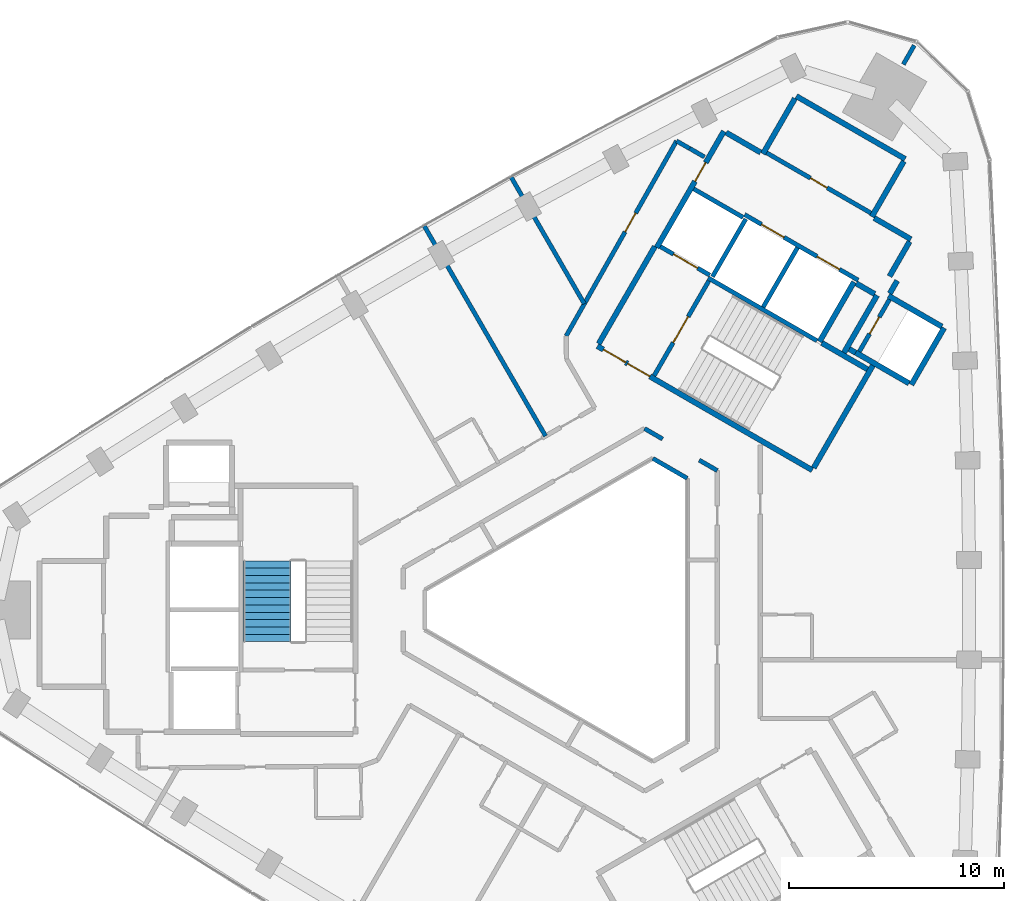
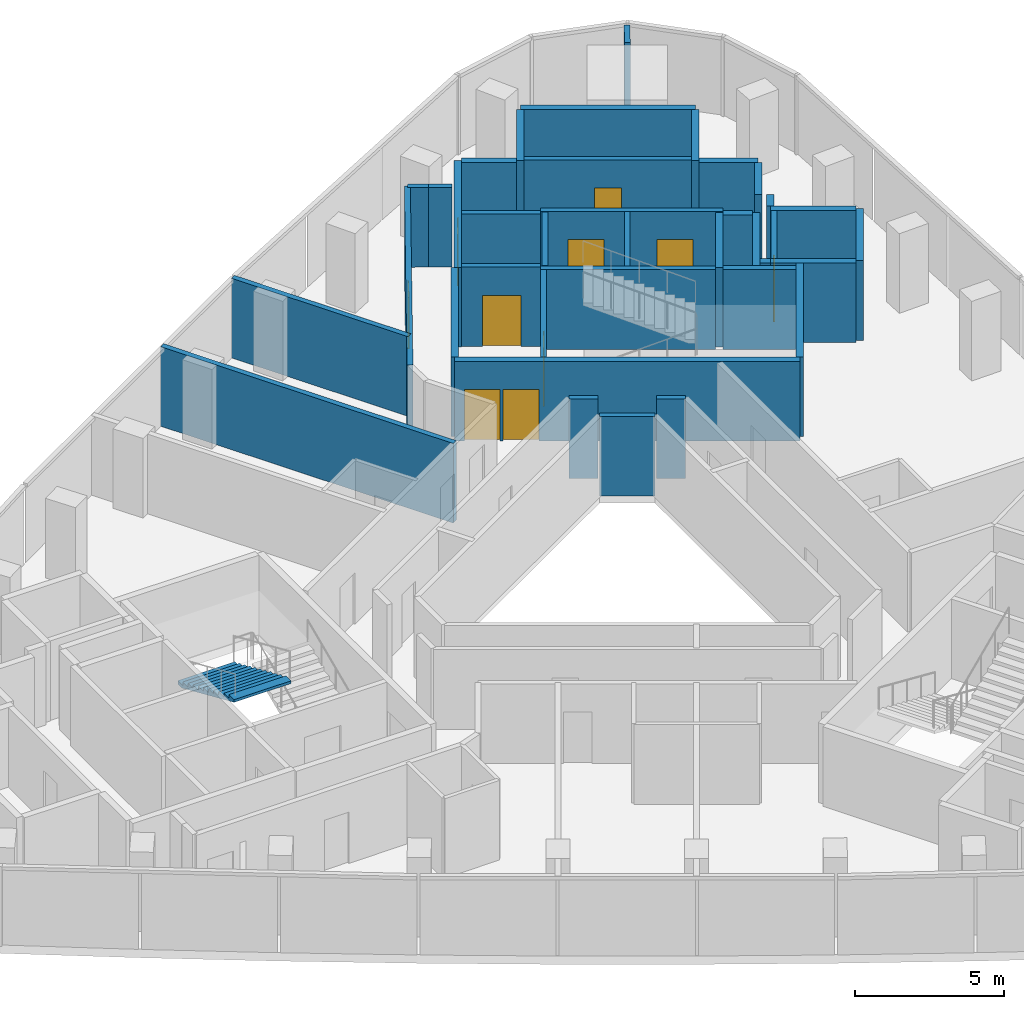
# One storey, part 10 of 12: 37 walls, 10 doors, 1 stair flight, 10 openings, 1 element without a shape of its own.
"""IFC4 building model written with IfcOpenShell, lengths in metres."""

from ifc_helpers import new_model, si_unit, direction, frame, frame_2d, origin, place, context, subcontext, project, spatial, polyline, rectangle, outline, extrude, material, layer, layer_set, type_object, element, fill, aggregate, save


model = new_model("IFC4")

# Units and contexts
model_context = context("Model", 3, precision=1e-05, world=origin(), true_north=direction((0.0, 1.0)))
body_context = subcontext(model_context, "Body", "Model", "MODEL_VIEW")
ifc_project = project(units=[si_unit("LENGTHUNIT", "METRE"), si_unit("AREAUNIT", "SQUARE_METRE"), si_unit("VOLUMEUNIT", "CUBIC_METRE"), si_unit("PLANEANGLEUNIT", "RADIAN"), si_unit("MASSUNIT", "GRAM", prefix="KILO")], contexts=[model_context])

# Site, building, storey
site_placement = place(None, origin())
site = spatial("IfcSite", under=ifc_project, at=site_placement, CompositionType="ELEMENT")
building_placement = place(site_placement, origin())
building = spatial("IfcBuilding", under=site, at=building_placement, Name="Tamra Quay Hotel Tower", CompositionType="ELEMENT")
storey_placement = place(building_placement, frame((0.0, 0.0, 179.199951171875)))
storey = spatial("IfcBuildingStorey", under=building, at=storey_placement, Name="L44", CompositionType="ELEMENT", Elevation=179.199951171875)

# Wall, openings, doors
ifc_material_1 = material(Name="Concrete M70", Category="concrete")
ifc_layer_1 = layer(ifc_material_1, 0.199951171875)
ifc_layer_set_1 = layer_set([ifc_layer_1], Name="Concrete M70 core wall 200")
wall_type_1 = type_object("IfcWallType", Name="Concrete M70 core wall 200", PredefinedType="SHEAR", material=ifc_layer_set_1)
wall_1_placement = place(storey_placement, frame((12.552490234375, 15.341552734375, 0.0), z_axis=(0.0, 0.0, 1.0), x_axis=(-0.866030299012, 0.499991521122, 0.0)))
wall_1 = element("IfcWall", 1, at=wall_1_placement, inside=storey, type_object=wall_type_1, Name="CW2", PredefinedType="SHEAR", context=body_context, shape_type="SweptSolid", body=[
    extrude(rectangle(XDim=6.10009765625, YDim=0.199951171875, at=frame_2d((3.050048828125, 0.0))), origin(), (0.0, 0.0, 1.0), 3.25),
])
opening_1_placement = place(wall_1_placement, frame((1.0, 0.0, 0.0)))
opening_1 = element("IfcOpeningElement", 2, at=opening_1_placement, cuts=wall_1, Name="Opening LD", PredefinedType="OPENING", context=body_context, shape_type="SweptSolid", body=[
    extrude(rectangle(XDim=1.199951171875, YDim=2.10009765625, at=frame_2d((0.60009765625, 1.050048828125))), frame((0.0, 0.10986328125, 0.0), z_axis=(0.0, -1.0, 0.0), x_axis=(1.0, 0.0, 0.0)), (0.0, 0.0, 1.0), 0.219970703125),
])
opening_2_placement = place(wall_1_placement, frame((3.982177734375, 0.0, 0.0)))
opening_2 = element("IfcOpeningElement", 3, at=opening_2_placement, cuts=wall_1, Name="Opening LD", PredefinedType="OPENING", context=body_context, shape_type="SweptSolid", body=[
    extrude(rectangle(XDim=1.199951171875, YDim=2.10009765625, at=frame_2d((0.60009765625, 1.050048828125))), frame((0.0, 0.10986328125, 0.0), z_axis=(0.0, -1.0, 0.0), x_axis=(1.0, 0.0, 0.0)), (0.0, 0.0, 1.0), 0.219970703125),
])
ifc_material_2 = material(Name="Landing door LD 1200 double door sliding")
door_type_1 = type_object("IfcDoorType", Name="Landing door LD 1200 double door sliding", OperationType="DOUBLE_DOOR_SLIDING", PredefinedType="DOOR", material=ifc_material_2)
door_1_placement = place(opening_1_placement, origin())
door_1 = element("IfcDoor", 4, at=door_1_placement, inside=storey, type_object=door_type_1, Name="LD", OperationType="DOUBLE_DOOR_SLIDING", OverallHeight=2.10009765625, OverallWidth=1.199951171875, PredefinedType="DOOR", context=body_context, shape_type="SweptSolid", body=[
    extrude(rectangle(XDim=1.199951171875, YDim=2.10009765625, at=frame_2d((0.60009765625, 1.050048828125))), frame((0.0, 0.02490234375, 0.0), z_axis=(0.0, -1.0, 0.0), x_axis=(1.0, 0.0, 0.0)), (0.0, 0.0, 1.0), 0.050048828125),
])
fill(opening_1, door_1)
door_2_placement = place(opening_2_placement, origin())
door_2 = element("IfcDoor", 5, at=door_2_placement, inside=storey, type_object=door_type_1, Name="LD", OperationType="DOUBLE_DOOR_SLIDING", OverallHeight=2.10009765625, OverallWidth=1.199951171875, PredefinedType="DOOR", context=body_context, shape_type="SweptSolid", body=[
    extrude(rectangle(XDim=1.199951171875, YDim=2.10009765625, at=frame_2d((0.60009765625, 1.050048828125))), frame((0.0, 0.02490234375, 0.0), z_axis=(0.0, -1.0, 0.0), x_axis=(1.0, 0.0, 0.0)), (0.0, 0.0, 1.0), 0.050048828125),
])
fill(opening_2, door_2)

# Wall
wall_2_placement = place(storey_placement, frame((10.636474609375, 12.521484375, 0.0), z_axis=(0.0, 0.0, 1.0), x_axis=(-0.866013252188, 0.500021046592, 0.0)))
element("IfcWall", 6, at=wall_2_placement, inside=storey, type_object=wall_type_1, Name="CW2", PredefinedType="SHEAR", context=body_context, shape_type="SweptSolid", body=[
    extrude(rectangle(XDim=5.850830078125, YDim=0.199951171875, at=frame_2d((2.92529296875, 0.0))), origin(), (0.0, 0.0, 1.0), 3.25),
])

# Wall, opening, door
wall_3_placement = place(storey_placement, frame((8.294189453125, 21.26416015625, 0.0), z_axis=(0.0, 0.0, 1.0), x_axis=(0.866025812541, -0.499999292012, 0.0)))
wall_3 = element("IfcWall", 7, at=wall_3_placement, inside=storey, type_object=wall_type_1, Name="CW2", PredefinedType="SHEAR", context=body_context, shape_type="SweptSolid", body=[
    extrude(rectangle(XDim=5.59814453125, YDim=0.199951171875, at=frame_2d((2.799072265625, 0.0))), origin(), (0.0, 0.0, 1.0), 3.25),
])
opening_3_placement = place(wall_3_placement, frame((2.34912109375, 0.0, 0.0)))
opening_3 = element("IfcOpeningElement", 8, at=opening_3_placement, cuts=wall_3, Name="Opening D2", PredefinedType="OPENING", context=body_context, shape_type="SweptSolid", body=[
    extrude(rectangle(XDim=0.89990234375, YDim=2.10009765625, at=frame_2d((0.449951171875, 1.050048828125))), frame((0.0, 0.10986328125, 0.0), z_axis=(0.0, -1.0, 0.0), x_axis=(1.0, 0.0, 0.0)), (0.0, 0.0, 1.0), 0.219970703125),
])
ifc_material_3 = material(Name="Core door D2 900x2100 RH")
door_type_2 = type_object("IfcDoorType", Name="Core door D2 900x2100 RH", OperationType="NOTDEFINED", PredefinedType="DOOR", material=ifc_material_3)
door_3_placement = place(opening_3_placement, origin())
door_3 = element("IfcDoor", 9, at=door_3_placement, inside=storey, type_object=door_type_2, Name="D2", OperationType="SINGLE_SWING_RIGHT", OverallHeight=2.10009765625, OverallWidth=0.89990234375, PredefinedType="DOOR", context=body_context, shape_type="SweptSolid", body=[
    extrude(rectangle(XDim=0.89990234375, YDim=2.10009765625, at=frame_2d((0.449951171875, 1.050048828125))), frame((0.0, 0.02490234375, 0.0), z_axis=(0.0, -1.0, 0.0), x_axis=(1.0, 0.0, 0.0)), (0.0, 0.0, 1.0), 0.050048828125),
])
fill(opening_3, door_3)

wall_4_placement = place(storey_placement, frame((3.056640625, 10.89453125, 0.0), z_axis=(0.0, 0.0, 1.0), x_axis=(0.500027839223, 0.866009330205, 0.0)))
wall_4 = element("IfcWall", 10, at=wall_4_placement, inside=storey, type_object=wall_type_1, Name="CW2", PredefinedType="SHEAR", context=body_context, shape_type="SweptSolid", body=[
    extrude(rectangle(XDim=5.097900390625, YDim=0.199951171875, at=frame_2d((2.548828125, 0.0))), origin(), (0.0, 0.0, 1.0), 3.25),
])
opening_4_placement = place(wall_4_placement, frame((1.77392578125, 0.0, 0.0)))
opening_4 = element("IfcOpeningElement", 11, at=opening_4_placement, cuts=wall_4, Name="Opening FD2", PredefinedType="OPENING", context=body_context, shape_type="SweptSolid", body=[
    extrude(rectangle(XDim=1.39990234375, YDim=2.10009765625, at=frame_2d((0.699951171875, 1.050048828125))), frame((0.0, 0.10986328125, 0.0), z_axis=(0.0, -1.0, 0.0), x_axis=(1.0, 0.0, 0.0)), (0.0, 0.0, 1.0), 0.219970703125),
])
ifc_material_4 = material(Name="Core door FD2 1400x2100 LH")
door_type_3 = type_object("IfcDoorType", Name="Core door FD2 1400x2100 LH", OperationType="NOTDEFINED", PredefinedType="DOOR", material=ifc_material_4)
door_4_placement = place(opening_4_placement, origin())
door_4 = element("IfcDoor", 12, at=door_4_placement, inside=storey, type_object=door_type_3, Name="FD2", OperationType="SINGLE_SWING_LEFT", OverallHeight=2.10009765625, OverallWidth=1.39990234375, PredefinedType="DOOR", context=body_context, shape_type="SweptSolid", body=[
    extrude(rectangle(XDim=1.39990234375, YDim=2.10009765625, at=frame_2d((0.699951171875, 1.050048828125))), frame((0.0, 0.02490234375, 0.0), z_axis=(0.0, -1.0, 0.0), x_axis=(1.0, 0.0, 0.0)), (0.0, 0.0, 1.0), 0.050048828125),
])
fill(opening_4, door_4)

# Wall
wall_5_placement = place(storey_placement, frame((8.131591796875, 14.08447265625, 0.0), z_axis=(0.0, 0.0, 1.0), x_axis=(0.500030834389, 0.86600760081, 0.0)))
element("IfcWall", 13, at=wall_5_placement, inside=storey, type_object=wall_type_1, Name="CW2", PredefinedType="SHEAR", context=body_context, shape_type="SweptSolid", body=[
    extrude(rectangle(XDim=3.197998046875, YDim=0.199951171875, at=frame_2d((1.59912109375, 0.0))), origin(), (0.0, 0.0, 1.0), 3.25),
])

# Wall, opening, door
wall_6_placement = place(storey_placement, frame((14.0078125, 14.442138671875, 0.0), z_axis=(0.0, 0.0, 1.0), x_axis=(-0.499986818241, -0.866033014143, 0.0)))
wall_6 = element("IfcWall", 14, at=wall_6_placement, inside=storey, type_object=wall_type_1, Name="CW2", PredefinedType="SHEAR", context=body_context, shape_type="SweptSolid", body=[
    extrude(rectangle(XDim=2.7978515625, YDim=0.199951171875, at=frame_2d((1.39892578125, 0.0))), origin(), (0.0, 0.0, 1.0), 3.25),
])
opening_5_placement = place(wall_6_placement, frame((0.948974609375, 0.0, 0.0)))
opening_5 = element("IfcOpeningElement", 15, at=opening_5_placement, cuts=wall_6, Name="Opening D1", PredefinedType="OPENING", context=body_context, shape_type="SweptSolid", body=[
    extrude(rectangle(XDim=0.89990234375, YDim=2.10009765625, at=frame_2d((0.449951171875, 1.050048828125))), frame((0.0, 0.10986328125, 0.0), z_axis=(0.0, -1.0, 0.0), x_axis=(1.0, 0.0, 0.0)), (0.0, 0.0, 1.0), 0.219970703125),
])
ifc_material_5 = material(Name="Core door D1 900x2100 LH")
door_type_4 = type_object("IfcDoorType", Name="Core door D1 900x2100 LH", OperationType="NOTDEFINED", PredefinedType="DOOR", material=ifc_material_5)
door_5_placement = place(opening_5_placement, origin())
door_5 = element("IfcDoor", 16, at=door_5_placement, inside=storey, type_object=door_type_4, Name="D1", OperationType="SINGLE_SWING_LEFT", OverallHeight=2.10009765625, OverallWidth=0.89990234375, PredefinedType="DOOR", context=body_context, shape_type="SweptSolid", body=[
    extrude(rectangle(XDim=0.89990234375, YDim=2.10009765625, at=frame_2d((0.449951171875, 1.050048828125))), frame((0.0, 0.02490234375, 0.0), z_axis=(0.0, -1.0, 0.0), x_axis=(1.0, 0.0, 0.0)), (0.0, 0.0, 1.0), 0.050048828125),
])
fill(opening_5, door_5)

# Wall
wall_7_placement = place(storey_placement, frame((7.324462890625, 18.1865234375, 0.0), z_axis=(0.0, 0.0, 1.0), x_axis=(-0.499967891604, -0.866043940782, 0.0)))
element("IfcWall", 17, at=wall_7_placement, inside=storey, type_object=wall_type_1, Name="CW2", PredefinedType="SHEAR", context=body_context, shape_type="SweptSolid", body=[
    extrude(rectangle(XDim=3.099853515625, YDim=0.199951171875, at=frame_2d((1.5498046875, 0.0))), origin(), (0.0, 0.0, 1.0), 3.25),
])

# Wall, opening, door
wall_8_placement = place(storey_placement, frame((5.646240234375, 15.575927734375, 0.0), z_axis=(0.0, 0.0, 1.0), x_axis=(-0.866018407898, 0.500012117035, 0.0)))
wall_8 = element("IfcWall", 18, at=wall_8_placement, inside=storey, type_object=wall_type_1, Name="CW2", PredefinedType="SHEAR", context=body_context, shape_type="SweptSolid", body=[
    extrude(rectangle(XDim=2.65087890625, YDim=0.199951171875, at=frame_2d((1.325439453125, 0.0))), origin(), (0.0, 0.0, 1.0), 3.25),
])
opening_6_placement = place(wall_8_placement, frame((0.65185546875, 0.0, 0.0)))
opening_6 = element("IfcOpeningElement", 19, at=opening_6_placement, cuts=wall_8, Name="Opening LD", PredefinedType="OPENING", context=body_context, shape_type="SweptSolid", body=[
    extrude(rectangle(XDim=1.300048828125, YDim=2.10009765625, at=frame_2d((0.64990234375, 1.050048828125))), frame((0.0, 0.10986328125, 0.0), z_axis=(0.0, -1.0, 0.0), x_axis=(1.0, 0.0, 0.0)), (0.0, 0.0, 1.0), 0.219970703125),
])
ifc_material_6 = material(Name="Landing door LD 1300 sliding to left")
door_type_5 = type_object("IfcDoorType", Name="Landing door LD 1300 sliding to left", OperationType="NOTDEFINED", PredefinedType="DOOR", material=ifc_material_6)
door_6_placement = place(opening_6_placement, origin())
door_6 = element("IfcDoor", 20, at=door_6_placement, inside=storey, type_object=door_type_5, Name="LD", OperationType="SLIDING_TO_LEFT", OverallHeight=2.10009765625, OverallWidth=1.300048828125, PredefinedType="DOOR", context=body_context, shape_type="SweptSolid", body=[
    extrude(rectangle(XDim=1.300048828125, YDim=2.10009765625, at=frame_2d((0.64990234375, 1.050048828125))), frame((0.0, 0.02490234375, 0.0), z_axis=(0.0, -1.0, 0.0), x_axis=(1.0, 0.0, 0.0)), (0.0, 0.0, 1.0), 0.050048828125),
])
fill(opening_6, door_6)

# Wall
wall_9_placement = place(storey_placement, frame((7.1962890625, 18.260498046875, 0.0), z_axis=(0.0, 0.0, 1.0), x_axis=(-0.866018407898, 0.500012117035, 0.0)))
element("IfcWall", 21, at=wall_9_placement, inside=storey, type_object=wall_type_1, Name="CW2", PredefinedType="SHEAR", context=body_context, shape_type="SweptSolid", body=[
    extrude(rectangle(XDim=2.65087890625, YDim=0.199951171875, at=frame_2d((1.325439453125, 0.0))), origin(), (0.0, 0.0, 1.0), 3.25),
])

# Wall, openings, doors
ifc_layer_2 = layer(ifc_material_1, 0.25)
ifc_layer_set_2 = layer_set([ifc_layer_2], Name="Concrete M70 core wall 250")
wall_type_2 = type_object("IfcWallType", Name="Concrete M70 core wall 250", PredefinedType="SHEAR", material=ifc_layer_set_2)
wall_10_placement = place(storey_placement, frame((10.419921875, 6.497802734375, 0.0), z_axis=(0.0, 0.0, 1.0), x_axis=(-0.866021906294, 0.500006057782, 0.0)))
wall_10 = element("IfcWall", 22, at=wall_10_placement, inside=storey, type_object=wall_type_2, Name="CW1", PredefinedType="SHEAR", context=body_context, shape_type="SweptSolid", body=[
    extrude(rectangle(XDim=11.550048828125, YDim=0.25, at=frame_2d((5.77490234375, 0.0))), origin(), (0.0, 0.0, 1.0), 3.25),
])
opening_7_placement = place(wall_10_placement, frame((10.02490234375, 0.0, 0.0)))
opening_7 = element("IfcOpeningElement", 23, at=opening_7_placement, cuts=wall_10, Name="Opening FD1", PredefinedType="OPENING", context=body_context, shape_type="SweptSolid", body=[
    extrude(rectangle(XDim=1.199951171875, YDim=2.10009765625, at=frame_2d((0.60009765625, 1.050048828125))), frame((0.0, 0.135009765625, 0.0), z_axis=(0.0, -1.0, 0.0), x_axis=(1.0, 0.0, 0.0)), (0.0, 0.0, 1.0), 0.27001953125),
])
opening_8_placement = place(wall_10_placement, frame((8.724853515625, 0.0, 0.0)))
opening_8 = element("IfcOpeningElement", 24, at=opening_8_placement, cuts=wall_10, Name="Opening FD1", PredefinedType="OPENING", context=body_context, shape_type="SweptSolid", body=[
    extrude(rectangle(XDim=1.199951171875, YDim=2.10009765625, at=frame_2d((0.60009765625, 1.050048828125))), frame((0.0, 0.135009765625, 0.0), z_axis=(0.0, -1.0, 0.0), x_axis=(1.0, 0.0, 0.0)), (0.0, 0.0, 1.0), 0.27001953125),
])
ifc_material_7 = material(Name="Core door FD1 1200x2100 LH")
door_type_6 = type_object("IfcDoorType", Name="Core door FD1 1200x2100 LH", OperationType="NOTDEFINED", PredefinedType="DOOR", material=ifc_material_7)
door_7_placement = place(opening_7_placement, origin())
door_7 = element("IfcDoor", 25, at=door_7_placement, inside=storey, type_object=door_type_6, Name="FD1", OperationType="SINGLE_SWING_LEFT", OverallHeight=2.10009765625, OverallWidth=1.199951171875, PredefinedType="DOOR", context=body_context, shape_type="SweptSolid", body=[
    extrude(rectangle(XDim=1.199951171875, YDim=2.10009765625, at=frame_2d((0.60009765625, 1.050048828125))), frame((0.0, 0.02490234375, 0.0), z_axis=(0.0, -1.0, 0.0), x_axis=(1.0, 0.0, 0.0)), (0.0, 0.0, 1.0), 0.050048828125),
])
fill(opening_7, door_7)
ifc_material_8 = material(Name="Core door FD1 1200x2100 RH")
door_type_7 = type_object("IfcDoorType", Name="Core door FD1 1200x2100 RH", OperationType="NOTDEFINED", PredefinedType="DOOR", material=ifc_material_8)
door_8_placement = place(opening_8_placement, origin())
door_8 = element("IfcDoor", 26, at=door_8_placement, inside=storey, type_object=door_type_7, Name="FD1", OperationType="SINGLE_SWING_RIGHT", OverallHeight=2.10009765625, OverallWidth=1.199951171875, PredefinedType="DOOR", context=body_context, shape_type="SweptSolid", body=[
    extrude(rectangle(XDim=1.199951171875, YDim=2.10009765625, at=frame_2d((0.60009765625, 1.050048828125))), frame((0.0, 0.02490234375, 0.0), z_axis=(0.0, -1.0, 0.0), x_axis=(1.0, 0.0, 0.0)), (0.0, 0.0, 1.0), 0.050048828125),
])
fill(opening_8, door_8)

# Wall, opening, door
wall_11_placement = place(storey_placement, frame((3.178955078125, 16.856201171875, 0.0), z_axis=(0.0, 0.0, 1.0), x_axis=(0.500004234368, 0.866022959057, 0.0)))
wall_11 = element("IfcWall", 27, at=wall_11_placement, inside=storey, type_object=wall_type_2, Name="CW1", PredefinedType="SHEAR", context=body_context, shape_type="SweptSolid", body=[
    extrude(rectangle(XDim=6.25, YDim=0.25, at=frame_2d((3.125, 0.0))), origin(), (0.0, 0.0, 1.0), 3.25),
])
opening_9_placement = place(wall_11_placement, frame((3.562744140625, 0.0, 0.0)))
opening_9 = element("IfcOpeningElement", 28, at=opening_9_placement, cuts=wall_11, Name="Opening FD3", PredefinedType="OPENING", context=body_context, shape_type="SweptSolid", body=[
    extrude(rectangle(XDim=1.0, YDim=2.10009765625, at=frame_2d((0.5, 1.050048828125))), frame((0.0, 0.135009765625, 0.0), z_axis=(0.0, -1.0, 0.0), x_axis=(1.0, 0.0, 0.0)), (0.0, 0.0, 1.0), 0.27001953125),
])
ifc_material_9 = material(Name="Core door FD3 1000x2100 LH")
door_type_8 = type_object("IfcDoorType", Name="Core door FD3 1000x2100 LH", OperationType="NOTDEFINED", PredefinedType="DOOR", material=ifc_material_9)
door_9_placement = place(opening_9_placement, origin())
door_9 = element("IfcDoor", 29, at=door_9_placement, inside=storey, type_object=door_type_8, Name="FD3", OperationType="SINGLE_SWING_LEFT", OverallHeight=2.10009765625, OverallWidth=1.0, PredefinedType="DOOR", context=body_context, shape_type="SweptSolid", body=[
    extrude(rectangle(XDim=1.0, YDim=2.10009765625, at=frame_2d((0.5, 1.050048828125))), frame((0.0, 0.02490234375, 0.0), z_axis=(0.0, -1.0, 0.0), x_axis=(1.0, 0.0, 0.0)), (0.0, 0.0, 1.0), 0.050048828125),
])
fill(opening_9, door_9)

# Walls
wall_12_placement = place(storey_placement, frame((9.672607421875, 23.9033203125, 0.0), z_axis=(0.0, 0.0, 1.0), x_axis=(0.86603616409, -0.499981362141, 0.0)))
element("IfcWall", 30, at=wall_12_placement, inside=storey, type_object=wall_type_2, Name="CW1", PredefinedType="SHEAR", context=body_context, shape_type="SweptSolid", body=[
    extrude(rectangle(XDim=5.849853515625, YDim=0.25, at=frame_2d((2.9248046875, 0.0))), origin(), (0.0, 0.0, 1.0), 3.25),
])
wall_13_placement = place(storey_placement, frame((0.47998046875, 12.38134765625, 0.0), z_axis=(0.0, 0.0, 1.0), x_axis=(0.49999885962, 0.866026062182, 0.0)))
element("IfcWall", 31, at=wall_13_placement, inside=storey, type_object=wall_type_2, Name="CW1", PredefinedType="SHEAR", context=body_context, shape_type="SweptSolid", body=[
    extrude(rectangle(XDim=5.224609375, YDim=0.25, at=frame_2d((2.6123046875, 0.0))), origin(), (0.0, 0.0, 1.0), 3.25),
])
wall_14_placement = place(storey_placement, frame((13.237548828125, 11.3779296875, 0.0), z_axis=(0.0, 0.0, 1.0), x_axis=(-0.500008851346, -0.866020293397, 0.0)))
element("IfcWall", 32, at=wall_14_placement, inside=storey, type_object=wall_type_2, Name="CW1", PredefinedType="SHEAR", context=body_context, shape_type="SweptSolid", body=[
    extrude(rectangle(XDim=5.509765625, YDim=0.25, at=frame_2d((2.7548828125, 0.0))), origin(), (0.0, 0.0, 1.0), 3.25),
])
wall_15_placement = place(storey_placement, frame((12.356689453125, 15.25244140625, 0.0), z_axis=(0.0, 0.0, 1.0), x_axis=(-0.500028443584, -0.866008981251, 0.0)))
element("IfcWall", 33, at=wall_15_placement, inside=storey, type_object=wall_type_2, Name="CW1", PredefinedType="SHEAR", context=body_context, shape_type="SweptSolid", body=[
    extrude(rectangle(XDim=3.199951171875, YDim=0.25, at=frame_2d((1.60009765625, 0.0))), origin(), (0.0, 0.0, 1.0), 3.25),
])
for number, where, z_axis, x_axis, name in (
    (34, (8.12255859375, 21.21875, 0.0), (0.0, 0.0, 1.0), (0.499987686533, 0.866032512851, 0.0), "CW1"),
    (35, (14.67626953125, 20.869873046875, 0.0), (0.0, 0.0, 1.0), (-0.499987686533, -0.866032512851, 0.0), "CW1"),
):
    element("IfcWall", number, at=place(storey_placement, frame(where, z_axis=z_axis, x_axis=x_axis)), inside=storey, type_object=wall_type_2, Name=name, PredefinedType="SHEAR", context=body_context, shape_type="SweptSolid", body=[
        extrude(rectangle(XDim=2.974609375, YDim=0.25, at=frame_2d((1.4873046875, 0.0))), origin(), (0.0, 0.0, 1.0), 3.25),
    ])
wall_16_placement = place(storey_placement, frame((16.552001953125, 13.118896484375, 0.0), z_axis=(0.0, 0.0, 1.0), x_axis=(-0.499978833458, -0.866037623948, 0.0)))
element("IfcWall", 36, at=wall_16_placement, inside=storey, type_object=wall_type_2, Name="CW1", PredefinedType="SHEAR", context=body_context, shape_type="SweptSolid", body=[
    extrude(rectangle(XDim=3.050048828125, YDim=0.25, at=frame_2d((1.52490234375, 0.0))), origin(), (0.0, 0.0, 1.0), 3.25),
])
wall_17_placement = place(storey_placement, frame((14.91845703125, 10.540283203125, 0.0), z_axis=(0.0, 0.0, 1.0), x_axis=(-0.866063538972, 0.499933942099, 0.0)))
element("IfcWall", 37, at=wall_17_placement, inside=storey, type_object=wall_type_2, Name="CW1", PredefinedType="SHEAR", context=body_context, shape_type="SweptSolid", body=[
    extrude(rectangle(XDim=2.86474609375, YDim=0.25, at=frame_2d((1.432373046875, 0.0))), origin(), (0.0, 0.0, 1.0), 3.25),
])
wall_18_placement = place(storey_placement, frame((13.962646484375, 14.61376953125, 0.0), z_axis=(0.0, 0.0, 1.0), x_axis=(0.866042235819, -0.499970844928, 0.0)))
element("IfcWall", 38, at=wall_18_placement, inside=storey, type_object=wall_type_2, Name="CW1", PredefinedType="SHEAR", context=body_context, shape_type="SweptSolid", body=[
    extrude(rectangle(XDim=2.864501953125, YDim=0.25, at=frame_2d((1.43212890625, 0.0))), origin(), (0.0, 0.0, 1.0), 3.25),
])
wall_19_placement = place(storey_placement, frame((11.887939453125, 11.960693359375, 0.0), z_axis=(0.0, 0.0, 1.0), x_axis=(0.500003324108, 0.866023484601, 0.0)))
element("IfcWall", 39, at=wall_19_placement, inside=storey, type_object=wall_type_2, Name="CW1", PredefinedType="SHEAR", context=body_context, shape_type="SweptSolid", body=[
    extrude(rectangle(XDim=3.0849609375, YDim=0.25, at=frame_2d((1.54248046875, 0.0))), origin(), (0.0, 0.0, 1.0), 3.25),
])
wall_20_placement = place(storey_placement, frame((10.865234375, 12.41845703125, 0.0), z_axis=(0.0, 0.0, 1.0), x_axis=(0.866026229868, -0.499998569178, 0.0)))
element("IfcWall", 40, at=wall_20_placement, inside=storey, type_object=wall_type_2, Name="CW1", PredefinedType="SHEAR", context=body_context, shape_type="SweptSolid", body=[
    extrude(rectangle(XDim=2.44921875, YDim=0.25, at=frame_2d((1.224609375, 0.0))), origin(), (0.0, 0.0, 1.0), 3.25),
])
wall_21_placement = place(storey_placement, frame((13.29736328125, 18.23095703125, 0.0), z_axis=(0.0, 0.0, 1.0), x_axis=(0.866043531843, -0.499968599967, 0.0)))
element("IfcWall", 41, at=wall_21_placement, inside=storey, type_object=wall_type_2, Name="CW1", PredefinedType="SHEAR", context=body_context, shape_type="SweptSolid", body=[
    extrude(rectangle(XDim=1.974853515625, YDim=0.25, at=frame_2d((0.9873046875, 0.0))), origin(), (0.0, 0.0, 1.0), 3.25),
])
wall_22_placement = place(storey_placement, frame((6.41259765625, 22.2060546875, 0.0), z_axis=(0.0, 0.0, 1.0), x_axis=(0.866016279763, -0.500015802937, 0.0)))
element("IfcWall", 42, at=wall_22_placement, inside=storey, type_object=wall_type_2, Name="CW1", PredefinedType="SHEAR", context=body_context, shape_type="SweptSolid", body=[
    extrude(rectangle(XDim=1.84912109375, YDim=0.25, at=frame_2d((0.924560546875, 0.0))), origin(), (0.0, 0.0, 1.0), 3.25),
])
wall_23_placement = place(storey_placement, frame((14.94482421875, 17.13525390625, 0.0), z_axis=(0.0, 0.0, 1.0), x_axis=(-0.499983108224, -0.866035156036, 0.0)))
element("IfcWall", 43, at=wall_23_placement, inside=storey, type_object=wall_type_2, Name="CW1", PredefinedType="SHEAR", context=body_context, shape_type="SweptSolid", body=[
    extrude(rectangle(XDim=1.86474609375, YDim=0.25, at=frame_2d((0.932373046875, 0.0))), origin(), (0.0, 0.0, 1.0), 3.25),
])
wall_24_placement = place(storey_placement, frame((13.322021484375, 14.695068359375, 0.0), z_axis=(0.0, 0.0, 1.0), x_axis=(-0.866017078145, 0.500014420154, 0.0)))
element("IfcWall", 44, at=wall_24_placement, inside=storey, type_object=wall_type_2, Name="CW1", PredefinedType="SHEAR", context=body_context, shape_type="SweptSolid", body=[
    extrude(rectangle(XDim=0.9892578125, YDim=0.25, at=frame_2d((0.49462890625, 0.0))), origin(), (0.0, 0.0, 1.0), 3.25),
])
wall_25_placement = place(storey_placement, frame((14.36767578125, 15.3154296875, 0.0), z_axis=(0.0, 0.0, 1.0), x_axis=(-0.499897359611, -0.866084655132, 0.0)))
element("IfcWall", 45, at=wall_25_placement, inside=storey, type_object=wall_type_2, Name="CW1", PredefinedType="SHEAR", context=body_context, shape_type="SweptSolid", body=[
    extrude(rectangle(XDim=0.684814453125, YDim=0.25, at=frame_2d((0.34228515625, 0.0))), origin(), (0.0, 0.0, 1.0), 3.25),
])
wall_26_placement = place(storey_placement, frame((12.4326171875, 11.9638671875, 0.0), z_axis=(0.0, 0.0, 1.0), x_axis=(-0.866055875208, 0.499947218231, 0.0)))
element("IfcWall", 46, at=wall_26_placement, inside=storey, type_object=wall_type_2, Name="CW1", PredefinedType="SHEAR", context=body_context, shape_type="SweptSolid", body=[
    extrude(rectangle(XDim=0.3447265625, YDim=0.25, at=frame_2d((0.17236328125, 0.0))), origin(), (0.0, 0.0, 1.0), 3.25),
])

# Wall, opening, door
ifc_material_10 = material(Name="Partition corridor wall")
ifc_layer_3 = layer(ifc_material_10, 0.199951171875)
ifc_layer_set_3 = layer_set([ifc_layer_3], Name="Partition corridor wall")
wall_type_3 = type_object("IfcWallType", Name="Partition corridor wall", PredefinedType="PARTITIONING", material=ifc_layer_set_3)
wall_27_placement = place(storey_placement, frame((-1.035400390625, 12.74169921875, 0.0), z_axis=(0.0, 0.0, 1.0), x_axis=(0.49267817774, 0.870211591039, 0.0)))
wall_27 = element("IfcWall", 47, at=wall_27_placement, inside=storey, type_object=wall_type_3, Name="W-C", PredefinedType="PARTITIONING", context=body_context, shape_type="SweptSolid", body=[
    extrude(rectangle(XDim=10.427490234375, YDim=0.199951171875, at=frame_2d((5.2138671875, 0.0))), origin(), (0.0, 0.0, 1.0), 3.25),
])
opening_10_placement = place(wall_27_placement, frame((5.56787109375, 0.0, 0.0)))
opening_10 = element("IfcOpeningElement", 48, at=opening_10_placement, cuts=wall_27, Name="Opening L44-D005", PredefinedType="OPENING", context=body_context, shape_type="SweptSolid", body=[
    extrude(rectangle(XDim=1.0, YDim=2.10009765625, at=frame_2d((0.5, 1.050048828125))), frame((0.0, 0.10986328125, 0.0), z_axis=(0.0, -1.0, 0.0), x_axis=(1.0, 0.0, 0.0)), (0.0, 0.0, 1.0), 0.219970703125),
])
ifc_material_11 = material(Name="Door guest room 1000x2100")
door_type_9 = type_object("IfcDoorType", Name="Door guest room 1000x2100", OperationType="NOTDEFINED", PredefinedType="DOOR", material=ifc_material_11)
door_10_placement = place(opening_10_placement, origin())
door_10 = element("IfcDoor", 49, at=door_10_placement, inside=storey, type_object=door_type_9, Name="L44-D005", OperationType="SINGLE_SWING_LEFT", OverallHeight=2.10009765625, OverallWidth=1.0, PredefinedType="DOOR", context=body_context, shape_type="SweptSolid", body=[
    extrude(rectangle(XDim=1.0, YDim=2.10009765625, at=frame_2d((0.5, 1.050048828125))), frame((0.0, 0.02490234375, 0.0), z_axis=(0.0, -1.0, 0.0), x_axis=(1.0, 0.0, 0.0)), (0.0, 0.0, 1.0), 0.050048828125),
])
fill(opening_10, door_10)

# Walls
wall_28_placement = place(storey_placement, frame((2.612060546875, 8.43603515625, 0.0), z_axis=(0.0, 0.0, 1.0), x_axis=(0.866055964107, -0.499947064232, 0.0)))
element("IfcWall", 50, at=wall_28_placement, inside=storey, type_object=wall_type_3, Name="W-C", PredefinedType="PARTITIONING", context=body_context, shape_type="SweptSolid", body=[
    extrude(rectangle(XDim=0.97216796875, YDim=0.199951171875, at=frame_2d((0.486083984375, 0.0))), origin(), (0.0, 0.0, 1.0), 3.25),
])
wall_29_placement = place(storey_placement, frame((4.10205078125, 21.81591796875, 0.0), z_axis=(0.0, 0.0, 1.0), x_axis=(0.868007826562, -0.496550514074, 0.0)))
element("IfcWall", 51, at=wall_29_placement, inside=storey, type_object=wall_type_3, Name="W-C", PredefinedType="PARTITIONING", context=body_context, shape_type="SweptSolid", body=[
    extrude(rectangle(XDim=0.70263671875, YDim=0.199951171875, at=frame_2d((0.351318359375, 0.0))), origin(), (0.0, 0.0, 1.0), 3.25),
])
wall_30_placement = place(storey_placement, frame((4.716064453125, 21.468017578125, 0.0), z_axis=(0.0, 0.0, 1.0), x_axis=(0.865912682783, -0.500195187698, 0.0)))
element("IfcWall", 52, at=wall_30_placement, inside=storey, type_object=wall_type_3, Name="W-C", PredefinedType="PARTITIONING", context=body_context, shape_type="SweptSolid", body=[
    extrude(rectangle(XDim=0.789794921875, YDim=0.199951171875, at=frame_2d((0.39501953125, 0.0))), origin(), (0.0, 0.0, 1.0), 3.25),
])
wall_31_placement = place(storey_placement, frame((5.156005859375, 6.968017578125, 0.0), z_axis=(0.0, 0.0, 1.0), x_axis=(0.866123013327, -0.49983089719, 0.0)))
element("IfcWall", 53, at=wall_31_placement, inside=storey, type_object=wall_type_3, Name="W-C", PredefinedType="PARTITIONING", context=body_context, shape_type="SweptSolid", body=[
    extrude(rectangle(XDim=0.974365234375, YDim=0.199951171875, at=frame_2d((0.4873046875, 0.0))), origin(), (0.0, 0.0, 1.0), 3.25),
])
ifc_material_12 = material(Name="Partition party wall")
ifc_layer_4 = layer(ifc_material_12, 0.199951171875)
ifc_layer_set_4 = layer_set([ifc_layer_4], Name="Partition party wall")
wall_type_4 = type_object("IfcWallType", Name="Partition party wall", PredefinedType="PARTITIONING", material=ifc_layer_set_4)
wall_32_placement = place(storey_placement, frame((-7.6455078125, 17.87890625, 0.0), z_axis=(0.0, 0.0, 1.0), x_axis=(0.500047691386, -0.865997867399, 0.0)))
element("IfcWall", 54, at=wall_32_placement, inside=storey, type_object=wall_type_4, Name="W-P", PredefinedType="PARTITIONING", context=body_context, shape_type="SweptSolid", body=[
    extrude(rectangle(XDim=11.30615234375, YDim=0.199951171875, at=frame_2d((5.653076171875, 0.0))), origin(), (0.0, 0.0, 1.0), 3.25),
])
wall_33_placement = place(storey_placement, frame((-3.59765625, 20.141845703125, 0.0), z_axis=(0.0, 0.0, 1.0), x_axis=(0.500075890333, -0.865981584047, 0.0)))
element("IfcWall", 55, at=wall_33_placement, inside=storey, type_object=wall_type_4, Name="W-P", PredefinedType="PARTITIONING", context=body_context, shape_type="SweptSolid", body=[
    extrude(rectangle(XDim=6.81640625, YDim=0.199951171875, at=frame_2d((3.408203125, 0.0))), origin(), (0.0, 0.0, 1.0), 3.25),
])
wall_34_placement = place(storey_placement, frame((3.000244140625, 7.04443359375, 0.0), z_axis=(0.0, 0.0, 1.0), x_axis=(0.865875248522, -0.500259986404, 0.0)))
element("IfcWall", 56, at=wall_34_placement, inside=storey, type_object=wall_type_4, Name="W-P", PredefinedType="PARTITIONING", context=body_context, shape_type="SweptSolid", body=[
    extrude(rectangle(XDim=1.84765625, YDim=0.199951171875, at=frame_2d((0.923828125, 0.0))), origin(), (0.0, 0.0, 1.0), 3.25),
])
wall_35_placement = place(storey_placement, frame((14.655029296875, 25.382080078125, 0.0), z_axis=(0.0, 0.0, 1.0), x_axis=(0.498416889665, 0.866937485691, 0.0)))
element("IfcWall", 57, at=wall_35_placement, inside=storey, type_object=wall_type_4, Name="W-P", PredefinedType="PARTITIONING", context=body_context, shape_type="SweptSolid", body=[
    extrude(rectangle(XDim=1.014892578125, YDim=0.199951171875, at=frame_2d((0.50732421875, 0.0))), origin(), (0.0, 0.0, 1.0), 3.25),
])

# Stair, stair flight
ifc_material_13 = material(Name="Exit stair 2200 24 risers 150.0 going 342")
stair_type = type_object("IfcStairType", Name="Exit stair 2200 24 risers 150.0 going 342", PredefinedType="HALF_TURN_STAIR", material=ifc_material_13)
stair_placement = place(storey_placement, origin())
stair = element("IfcStair", 58, at=stair_placement, inside=storey, type_object=stair_type, Name="L44 Exit stair ST3", PredefinedType="HALF_TURN_STAIR")
ifc_material_14 = material(Name="Exit stair flight 2200 12 risers 150.0")
stair_flight_type = type_object("IfcStairFlightType", Name="Exit stair flight 2200 12 risers 150.0", PredefinedType="STRAIGHT", material=ifc_material_14)
stair_flight_placement = place(storey_placement, frame((-14.94140625, 2.281982421875, 1.800048828125), z_axis=(0.0, 0.0, 1.0), x_axis=(0.0, -1.0, 0.0)))
stair_flight = element("IfcStairFlight", 59, at=stair_flight_placement, type_object=stair_flight_type, Name="ST3 flight 2", NumberOfRisers=12, NumberOfTreads=11, PredefinedType="STRAIGHT", RiserHeight=0.15, TreadLength=0.342, context=body_context, shape_type="SweptSolid", body=[
    extrude(outline(polyline([(0.0, 0.0), (0.0, 0.14990234375), (0.342041015625, 0.14990234375), (0.342041015625, 0.300048828125), (0.68408203125, 0.300048828125), (0.68408203125, 0.449951171875), (1.02587890625, 0.449951171875), (1.02587890625, 0.60009765625), (1.367919921875, 0.60009765625), (1.367919921875, 0.75), (1.7099609375, 0.75), (1.7099609375, 0.89990234375), (2.052001953125, 0.89990234375), (2.052001953125, 1.050048828125), (2.39404296875, 1.050048828125), (2.39404296875, 1.199951171875), (2.736083984375, 1.199951171875), (2.736083984375, 1.35009765625), (3.077880859375, 1.35009765625), (3.077880859375, 1.5), (3.419921875, 1.5), (3.419921875, 1.64990234375), (3.761962890625, 1.64990234375), (3.761962890625, 1.800048828125), (3.761962890625, 1.540771484375), (0.249267578125, 0.0), (0.0, 0.0)])), frame((0.0, 1.10009765625, 0.0), z_axis=(0.0, -1.0, 0.0), x_axis=(1.0, 0.0, 0.0)), (0.0, 0.0, 1.0), 2.199951171875),
])
aggregate(stair, [stair_flight])

save(model, "model.ifc")
